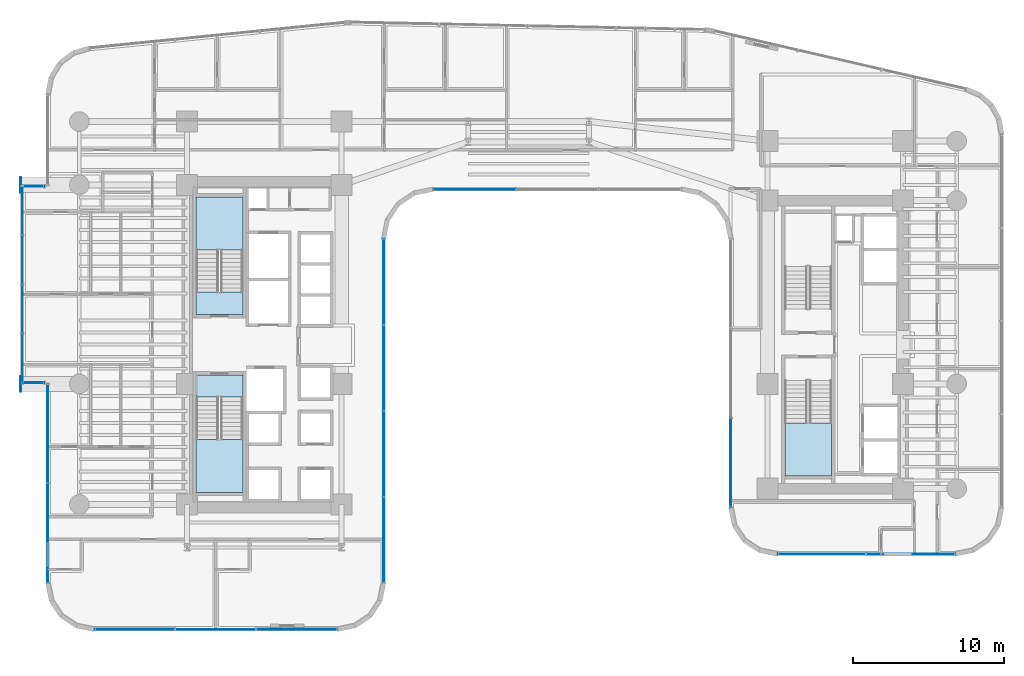
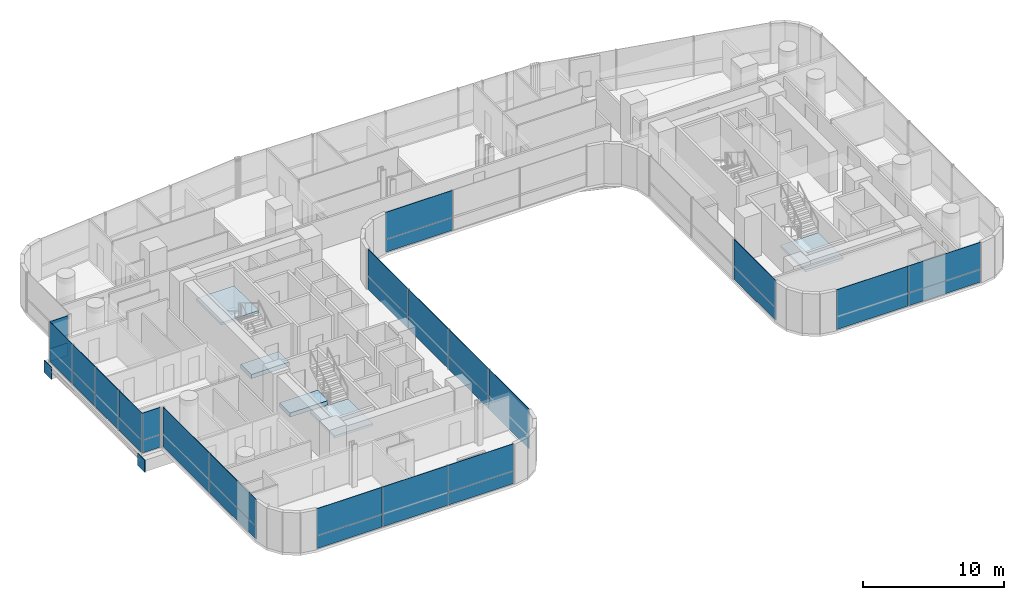
# One storey, part 27 of 40: 33 plates, 5 slabs, 12 elements without a shape of their own.
"""IFC4 building model written with IfcOpenShell, lengths in metres."""

from ifc_helpers import new_model, si_unit, direction, frame, origin, origin_2d, place, context, subcontext, project, spatial, polyline, rectangle, outline, extrude, source, transform, mapped, material, layer, layer_set, type_object, element, aggregate, save


model = new_model("IFC4")

# Units and contexts
model_context = context("Model", 3, precision=1e-05, world=origin(), true_north=direction((0.0, 1.0)))
body_context = subcontext(model_context, "Body", "Model", "MODEL_VIEW")
ifc_project = project(units=[si_unit("LENGTHUNIT", "METRE"), si_unit("AREAUNIT", "SQUARE_METRE"), si_unit("VOLUMEUNIT", "CUBIC_METRE"), si_unit("PLANEANGLEUNIT", "RADIAN"), si_unit("MASSUNIT", "GRAM", prefix="KILO")], contexts=[model_context])

# Site, building, storey
site_placement = place(None, origin())
site = spatial("IfcSite", under=ifc_project, at=site_placement, CompositionType="ELEMENT")
building_placement = place(site_placement, origin())
building = spatial("IfcBuilding", under=site, at=building_placement, Name="Valdorenza Pilgrim Sanctuary Tower", CompositionType="ELEMENT")
storey_placement = place(building_placement, frame((0.0, 0.0, 44.5)))
storey = spatial("IfcBuildingStorey", under=building, at=storey_placement, Name="L10", CompositionType="ELEMENT", Elevation=44.5)

# Stair, slab
ifc_material_1 = material(Name="Concrete C40/50", Category="concrete")
stair_type = type_object("IfcStairType", Name="STR-DOG-CORE", PredefinedType="HALF_TURN_STAIR", material=ifc_material_1)
stair_1_placement = place(storey_placement, origin())
stair_1 = element("IfcStair", 1, at=stair_1_placement, inside=storey, type_object=stair_type, Name="L10 ST-A1", PredefinedType="HALF_TURN_STAIR")
ifc_layer_1 = layer(ifc_material_1, 0.199951171875, Name="Concrete C40/50")
ifc_layer_set_1 = layer_set([ifc_layer_1], Name="Concrete C40/50")
slab_type_1 = type_object("IfcSlabType", Name="SLAB-STL-200", PredefinedType="LANDING", material=ifc_layer_set_1)
slab_1_placement = place(storey_placement, frame((0.0, 0.0, 1.64990234375)))
slab_1 = element("IfcSlab", 2, at=slab_1_placement, type_object=slab_type_1, Name="ST-A1 landing 1", PredefinedType="LANDING", context=body_context, shape_type="SweptSolid", body=[
    extrude(outline(polyline([(-18.93994140625, 6.280029296875), (-18.93994140625, 9.800048828125), (-22.050048828125, 9.800048828125), (-22.050048828125, 6.280029296875), (-18.93994140625, 6.280029296875)])), origin(), (0.0, 0.0, 1.0), 0.2001953125),
])
aggregate(stair_1, [slab_1])

stair_2_placement = place(storey_placement, origin())
stair_2 = element("IfcStair", 3, at=stair_2_placement, inside=storey, type_object=stair_type, Name="L10 ST-A2", PredefinedType="HALF_TURN_STAIR")
slab_2_placement = place(storey_placement, frame((0.0, 0.0, 1.64990234375)))
slab_2 = element("IfcSlab", 4, at=slab_2_placement, type_object=slab_type_1, Name="ST-A2 landing 1", PredefinedType="LANDING", context=body_context, shape_type="SweptSolid", body=[
    extrude(outline(polyline([(-22.050048828125, -6.280029296875), (-22.050048828125, -9.800048828125), (-18.93994140625, -9.800048828125), (-18.93994140625, -6.280029296875), (-22.050048828125, -6.280029296875)])), origin(), (0.0, 0.0, 1.0), 0.2001953125),
])
aggregate(stair_2, [slab_2])

stair_3_placement = place(storey_placement, origin())
stair_3 = element("IfcStair", 5, at=stair_3_placement, inside=storey, type_object=stair_type, Name="L10 ST-B2", PredefinedType="HALF_TURN_STAIR")
slab_3_placement = place(storey_placement, frame((0.0, 0.0, 1.64990234375)))
slab_3 = element("IfcSlab", 6, at=slab_3_placement, type_object=slab_type_1, Name="ST-B2 landing 1", PredefinedType="LANDING", context=body_context, shape_type="SweptSolid", body=[
    extrude(outline(polyline([(17.0, -5.179931640625), (17.0, -8.699951171875), (20.110107421875, -8.699951171875), (20.110107421875, -5.179931640625), (17.0, -5.179931640625)])), origin(), (0.0, 0.0, 1.0), 0.2001953125),
])
aggregate(stair_3, [slab_3])

# Slabs
ifc_material_2 = material(Name="Concrete C50/60", Category="concrete")
ifc_layer_2 = layer(ifc_material_2, 0.39990234375, Name="Concrete C50/60")
ifc_layer_set_2 = layer_set([ifc_layer_2], Name="Concrete C50/60")
slab_type_2 = type_object("IfcSlabType", Name="SLAB-TRF-400", PredefinedType="FLOOR", material=ifc_layer_set_2)
slab_4_placement = place(storey_placement, frame((0.0, 0.0, -0.360107421875)))
element("IfcSlab", 7, at=slab_4_placement, inside=storey, type_object=slab_type_2, Name="L10 ST-A1 Structural Stair Landing Bearing Slab", PredefinedType="FLOOR", context=body_context, shape_type="SweptSolid", body=[
    extrude(outline(polyline([(-22.050048828125, 2.0), (-18.93994140625, 2.0), (-18.93994140625, 3.485107421875), (-22.050048828125, 3.485107421875), (-22.050048828125, 2.0)])), origin(), (0.0, 0.0, 1.0), 0.360107421875),
])
slab_5_placement = place(storey_placement, frame((0.0, 0.0, -0.360107421875)))
element("IfcSlab", 8, at=slab_5_placement, inside=storey, type_object=slab_type_2, Name="L10 ST-A2 Structural Stair Landing Bearing Slab", PredefinedType="FLOOR", context=body_context, shape_type="SweptSolid", body=[
    extrude(outline(polyline([(-22.050048828125, -3.485107421875), (-18.93994140625, -3.485107421875), (-18.93994140625, -2.0), (-22.050048828125, -2.0), (-22.050048828125, -3.485107421875)])), origin(), (0.0, 0.0, 1.0), 0.360107421875),
])

# Plates
ifc_material_3 = material(Name="Steel ASTM A572 Grade 42", Category="steel")
ifc_layer_3 = layer(ifc_material_3, 0.06005859375, Name="Steel ASTM A572 Grade 42")
ifc_layer_set_3 = layer_set([ifc_layer_3], Name="Steel ASTM A572 Grade 42")
plate_type_1 = type_object("IfcPlateType", Name="PLT-CAP-60", PredefinedType="SHEET", material=ifc_layer_set_3)
shared_shape_1 = source(origin(), body_context, "Body", "SweptSolid", [
    extrude(rectangle(XDim=0.06005859375, YDim=1.0400390625, at=origin_2d()), origin(), (0.0, 0.0, 1.0), 1.0400390625),
])
for number, where, z_axis, x_axis, name in (
    (9, (-33.679931640625, 10.60009765625, -1.260009765625), (0.0, 0.0, 1.0), (1.0, 0.0, 0.0), "L10 BOX-WA-L10 Cantilever Tip End Cap N"),
    (10, (-33.679931640625, -2.60009765625, -1.260009765625), (0.0, 0.0, 1.0), (1.0, 0.0, 0.0), "L10 BOX-WA-L10 Cantilever Tip End Cap S"),
):
    element("IfcPlate", number, at=place(storey_placement, frame(where, z_axis=z_axis, x_axis=x_axis)), inside=storey, type_object=plate_type_1, Name=name, PredefinedType="SHEET", context=body_context, shape_type="MappedRepresentation", body=[
        mapped(shared_shape_1, transform((0.0, 0.0, 0.0), x_axis=(1.0, 0.0, 0.0), y_axis=(0.0, 1.0, 0.0), z_axis=(0.0, 0.0, 1.0), scale=1.0)),
    ])

# Curtain wall, plates
ifc_material_4 = material(Name="Curtain-wall IGU glazing", Category="glass")
curtain_wall_type_1 = type_object("IfcCurtainWallType", Name="CW-SYS-03", PredefinedType="NOTDEFINED", material=ifc_material_4)
curtain_wall_1_placement = place(storey_placement, origin())
curtain_wall_1 = element("IfcCurtainWall", 11, at=curtain_wall_1_placement, inside=storey, type_object=curtain_wall_type_1, Name="L10 Curtain Wall CW-L10-1-26", PredefinedType="NOTDEFINED")
ifc_material_5 = material(Name="Honed travertine limestone", Category="masonry")
ifc_layer_4 = layer(ifc_material_5, 0.050048828125, Name="Honed travertine limestone")
ifc_layer_set_4 = layer_set([ifc_layer_4], Name="Honed travertine limestone")
plate_type_2 = type_object("IfcPlateType", Name="CW-SPN-TRV", PredefinedType="USERDEFINED", material=ifc_layer_set_4)
shared_shape_2 = source(origin(), body_context, "Body", "SweptSolid", [
    extrude(rectangle(XDim=5.869140625, YDim=0.06005859375, at=origin_2d()), origin(), (0.0, 0.0, 1.0), 1.10009765625),
])
plate_1_placement = place(storey_placement, frame((25.344482421875, -13.889892578125, 0.010009765625), z_axis=(0.0, 0.0, 1.0), x_axis=(-1.0, 0.0, 0.0)))
plate_1 = element("IfcPlate", 12, at=plate_1_placement, type_object=plate_type_2, Name="CW-L10-1-26 Travertine Spandrel 1", ObjectType="SPANDREL", PredefinedType="USERDEFINED", context=body_context, shape_type="MappedRepresentation", body=[
    mapped(shared_shape_2, transform((0.0, 0.0, 0.0), x_axis=(1.0, 0.0, 0.0), y_axis=(0.0, 1.0, 0.0), z_axis=(0.0, 0.0, 1.0), scale=1.0)),
])
ifc_material_6 = material(Name="Ceramic-fritted low-E IGU glazing", Category="glass")
ifc_layer_5 = layer(ifc_material_6, 0.035888671875, Name="Ceramic-fritted low-E IGU glazing")
ifc_layer_set_5 = layer_set([ifc_layer_5], Name="Ceramic-fritted low-E IGU glazing")
plate_type_3 = type_object("IfcPlateType", Name="CW-GLZ-IGU", PredefinedType="USERDEFINED", material=ifc_layer_set_5)
shared_shape_3 = source(origin(), body_context, "Body", "SweptSolid", [
    extrude(rectangle(XDim=5.869140625, YDim=0.050048828125, at=origin_2d()), origin(), (0.0, 0.0, 1.0), 2.320068359375),
])
plate_2_placement = place(storey_placement, frame((25.344482421875, -13.889892578125, 1.1298828125), z_axis=(0.0, 0.0, 1.0), x_axis=(-1.0, 0.0, 0.0)))
plate_2 = element("IfcPlate", 13, at=plate_2_placement, type_object=plate_type_3, Name="CW-L10-1-26 Facade Panel 1", ObjectType="GLAZING", PredefinedType="USERDEFINED", context=body_context, shape_type="MappedRepresentation", body=[
    mapped(shared_shape_3, transform((0.0, 0.0, 0.0), x_axis=(1.0, 0.0, 0.0), y_axis=(0.0, 1.0, 0.0), z_axis=(0.0, 0.0, 1.0), scale=1.0)),
])
shared_shape_4 = source(origin(), body_context, "Body", "SweptSolid", [
    extrude(rectangle(XDim=5.869140625, YDim=0.050048828125, at=origin_2d()), origin(), (0.0, 0.0, 1.0), 3.43994140625),
])
plate_3_placement = place(storey_placement, frame((19.455322265625, -13.889892578125, 0.010009765625), z_axis=(0.0, 0.0, 1.0), x_axis=(-1.0, 0.0, 0.0)))
plate_3 = element("IfcPlate", 14, at=plate_3_placement, type_object=plate_type_3, Name="CW-L10-1-26 Full-Height Facade Panel 2", ObjectType="GLAZING", PredefinedType="USERDEFINED", context=body_context, shape_type="MappedRepresentation", body=[
    mapped(shared_shape_4, transform((0.0, 0.0, 0.0), x_axis=(1.0, 0.0, 0.0), y_axis=(0.0, 1.0, 0.0), z_axis=(0.0, 0.0, 1.0), scale=1.0)),
])
aggregate(curtain_wall_1, [plate_1, plate_2, plate_3])

curtain_wall_2_placement = place(storey_placement, origin())
curtain_wall_2 = element("IfcCurtainWall", 15, at=curtain_wall_2_placement, inside=storey, type_object=curtain_wall_type_1, Name="L10 Curtain Wall CW-L10-1-31", PredefinedType="NOTDEFINED")
shared_shape_5 = source(origin(), body_context, "Body", "SweptSolid", [
    extrude(rectangle(XDim=5.913330078125, YDim=0.06005859375, at=origin_2d()), origin(), (0.0, 0.0, 1.0), 1.10009765625),
])
plate_4_placement = place(storey_placement, frame((13.409912109375, -7.822509765625, 0.010009765625), z_axis=(0.0, 0.0, 1.0), x_axis=(0.0, 1.0, 0.0)))
plate_4 = element("IfcPlate", 16, at=plate_4_placement, type_object=plate_type_2, Name="CW-L10-1-31 Travertine Spandrel 1", ObjectType="SPANDREL", PredefinedType="USERDEFINED", context=body_context, shape_type="MappedRepresentation", body=[
    mapped(shared_shape_5, transform((0.0, 0.0, 0.0), x_axis=(1.0, 0.0, 0.0), y_axis=(0.0, 1.0, 0.0), z_axis=(0.0, 0.0, 1.0), scale=1.0)),
])
shared_shape_6 = source(origin(), body_context, "Body", "SweptSolid", [
    extrude(rectangle(XDim=5.913330078125, YDim=0.050048828125, at=origin_2d()), origin(), (0.0, 0.0, 1.0), 2.320068359375),
])
plate_5_placement = place(storey_placement, frame((13.409912109375, -7.822509765625, 1.1298828125), z_axis=(0.0, 0.0, 1.0), x_axis=(0.0, 1.0, 0.0)))
plate_5 = element("IfcPlate", 17, at=plate_5_placement, type_object=plate_type_3, Name="CW-L10-1-31 Facade Panel 1", ObjectType="GLAZING", PredefinedType="USERDEFINED", context=body_context, shape_type="MappedRepresentation", body=[
    mapped(shared_shape_6, transform((0.0, 0.0, 0.0), x_axis=(1.0, 0.0, 0.0), y_axis=(0.0, 1.0, 0.0), z_axis=(0.0, 0.0, 1.0), scale=1.0)),
])
aggregate(curtain_wall_2, [plate_4, plate_5])

curtain_wall_type_2 = type_object("IfcCurtainWallType", Name="CW-SYS-02", PredefinedType="NOTDEFINED", material=ifc_material_4)
curtain_wall_3_placement = place(storey_placement, origin())
curtain_wall_3 = element("IfcCurtainWall", 18, at=curtain_wall_3_placement, inside=storey, type_object=curtain_wall_type_2, Name="L10 Curtain Wall CW-L10-1-36", PredefinedType="NOTDEFINED")
shared_shape_7 = source(origin(), body_context, "Body", "SweptSolid", [
    extrude(rectangle(XDim=5.453857421875, YDim=0.06005859375, at=origin_2d()), origin(), (0.0, 0.0, 1.0), 1.10009765625),
])
plate_6_placement = place(storey_placement, frame((-3.573974609375, 10.31005859375, 0.010009765625), z_axis=(0.0, 0.0, 1.0), x_axis=(-1.0, 0.0, 0.0)))
plate_6 = element("IfcPlate", 19, at=plate_6_placement, type_object=plate_type_2, Name="CW-L10-1-36 Travertine Spandrel 3", ObjectType="SPANDREL", PredefinedType="USERDEFINED", context=body_context, shape_type="MappedRepresentation", body=[
    mapped(shared_shape_7, transform((0.0, 0.0, 0.0), x_axis=(1.0, 0.0, 0.0), y_axis=(0.0, 1.0, 0.0), z_axis=(0.0, 0.0, 1.0), scale=1.0)),
])
shared_shape_8 = source(origin(), body_context, "Body", "SweptSolid", [
    extrude(rectangle(XDim=5.453857421875, YDim=0.050048828125, at=origin_2d()), origin(), (0.0, 0.0, 1.0), 2.320068359375),
])
plate_7_placement = place(storey_placement, frame((-3.573974609375, 10.31005859375, 1.1298828125), z_axis=(0.0, 0.0, 1.0), x_axis=(-1.0, 0.0, 0.0)))
plate_7 = element("IfcPlate", 20, at=plate_7_placement, type_object=plate_type_3, Name="CW-L10-1-36 Facade Panel 3", ObjectType="GLAZING", PredefinedType="USERDEFINED", context=body_context, shape_type="MappedRepresentation", body=[
    mapped(shared_shape_8, transform((0.0, 0.0, 0.0), x_axis=(1.0, 0.0, 0.0), y_axis=(0.0, 1.0, 0.0), z_axis=(0.0, 0.0, 1.0), scale=1.0)),
])
aggregate(curtain_wall_3, [plate_6, plate_7])

curtain_wall_4_placement = place(storey_placement, origin())
curtain_wall_4 = element("IfcCurtainWall", 21, at=curtain_wall_4_placement, inside=storey, type_object=curtain_wall_type_2, Name="L10 Curtain Wall CW-L10-1-41", PredefinedType="NOTDEFINED")
shared_shape_9 = source(origin(), body_context, "Body", "SweptSolid", [
    extrude(rectangle(XDim=5.679931640625, YDim=0.06005859375, at=origin_2d()), origin(), (0.0, 0.0, 1.0), 1.10009765625),
])
plate_8_placement = place(storey_placement, frame((-9.610107421875, 4.160888671875, 0.010009765625), z_axis=(0.0, 0.0, 1.0), x_axis=(0.0, -1.0, 0.0)))
plate_8 = element("IfcPlate", 22, at=plate_8_placement, type_object=plate_type_2, Name="CW-L10-1-41 Travertine Spandrel 1", ObjectType="SPANDREL", PredefinedType="USERDEFINED", context=body_context, shape_type="MappedRepresentation", body=[
    mapped(shared_shape_9, transform((0.0, 0.0, 0.0), x_axis=(1.0, 0.0, 0.0), y_axis=(0.0, 1.0, 0.0), z_axis=(0.0, 0.0, 1.0), scale=1.0)),
])
plate_9_placement = place(storey_placement, frame((-9.610107421875, -7.2392578125, 0.010009765625), z_axis=(0.0, 0.0, 1.0), x_axis=(0.0, -1.0, 0.0)))
plate_9 = element("IfcPlate", 23, at=plate_9_placement, type_object=plate_type_2, Name="CW-L10-1-41 Travertine Spandrel 3", ObjectType="SPANDREL", PredefinedType="USERDEFINED", context=body_context, shape_type="MappedRepresentation", body=[
    mapped(shared_shape_9, transform((0.0, 0.0, 0.0), x_axis=(1.0, 0.0, 0.0), y_axis=(0.0, 1.0, 0.0), z_axis=(0.0, 0.0, 1.0), scale=1.0)),
])
shared_shape_10 = source(origin(), body_context, "Body", "SweptSolid", [
    extrude(rectangle(XDim=5.679931640625, YDim=0.050048828125, at=origin_2d()), origin(), (0.0, 0.0, 1.0), 2.320068359375),
])
plate_10_placement = place(storey_placement, frame((-9.610107421875, 4.160888671875, 1.1298828125), z_axis=(0.0, 0.0, 1.0), x_axis=(0.0, -1.0, 0.0)))
plate_10 = element("IfcPlate", 24, at=plate_10_placement, type_object=plate_type_3, Name="CW-L10-1-41 Facade Panel 1", ObjectType="GLAZING", PredefinedType="USERDEFINED", context=body_context, shape_type="MappedRepresentation", body=[
    mapped(shared_shape_10, transform((0.0, 0.0, 0.0), x_axis=(1.0, 0.0, 0.0), y_axis=(0.0, 1.0, 0.0), z_axis=(0.0, 0.0, 1.0), scale=1.0)),
])
plate_11_placement = place(storey_placement, frame((-9.610107421875, -7.2392578125, 1.1298828125), z_axis=(0.0, 0.0, 1.0), x_axis=(0.0, -1.0, 0.0)))
plate_11 = element("IfcPlate", 25, at=plate_11_placement, type_object=plate_type_3, Name="CW-L10-1-41 Facade Panel 3", ObjectType="GLAZING", PredefinedType="USERDEFINED", context=body_context, shape_type="MappedRepresentation", body=[
    mapped(shared_shape_10, transform((0.0, 0.0, 0.0), x_axis=(1.0, 0.0, 0.0), y_axis=(0.0, 1.0, 0.0), z_axis=(0.0, 0.0, 1.0), scale=1.0)),
])
shared_shape_11 = source(origin(), body_context, "Body", "SweptSolid", [
    extrude(rectangle(XDim=5.679931640625, YDim=0.050048828125, at=origin_2d()), origin(), (0.0, 0.0, 1.0), 3.43994140625),
])
plate_12_placement = place(storey_placement, frame((-9.610107421875, -1.539306640625, 0.010009765625), z_axis=(0.0, 0.0, 1.0), x_axis=(0.0, -1.0, 0.0)))
plate_12 = element("IfcPlate", 26, at=plate_12_placement, type_object=plate_type_3, Name="CW-L10-1-41 Full-Height Facade Panel 2", ObjectType="GLAZING", PredefinedType="USERDEFINED", context=body_context, shape_type="MappedRepresentation", body=[
    mapped(shared_shape_11, transform((0.0, 0.0, 0.0), x_axis=(1.0, 0.0, 0.0), y_axis=(0.0, 1.0, 0.0), z_axis=(0.0, 0.0, 1.0), scale=1.0)),
])
plate_13_placement = place(storey_placement, frame((-9.610107421875, -12.939208984375, 0.010009765625), z_axis=(0.0, 0.0, 1.0), x_axis=(0.0, -1.0, 0.0)))
plate_13 = element("IfcPlate", 27, at=plate_13_placement, type_object=plate_type_3, Name="CW-L10-1-41 Full-Height Facade Panel 4", ObjectType="GLAZING", PredefinedType="USERDEFINED", context=body_context, shape_type="MappedRepresentation", body=[
    mapped(shared_shape_11, transform((0.0, 0.0, 0.0), x_axis=(1.0, 0.0, 0.0), y_axis=(0.0, 1.0, 0.0), z_axis=(0.0, 0.0, 1.0), scale=1.0)),
])
aggregate(curtain_wall_4, [plate_8, plate_10, plate_12, plate_9, plate_11, plate_13])

curtain_wall_5_placement = place(storey_placement, origin())
curtain_wall_5 = element("IfcCurtainWall", 28, at=curtain_wall_5_placement, inside=storey, type_object=curtain_wall_type_2, Name="L10 Curtain Wall CW-L10-1-46", PredefinedType="NOTDEFINED")
shared_shape_12 = source(origin(), body_context, "Body", "SweptSolid", [
    extrude(rectangle(XDim=5.339599609375, YDim=0.06005859375, at=origin_2d()), origin(), (0.0, 0.0, 1.0), 1.10009765625),
])
plate_14_placement = place(storey_placement, frame((-15.390380859375, -18.889892578125, 0.010009765625), z_axis=(0.0, 0.0, 1.0), x_axis=(-1.0, 0.0, 0.0)))
plate_14 = element("IfcPlate", 29, at=plate_14_placement, type_object=plate_type_2, Name="CW-L10-1-46 Travertine Spandrel 1", ObjectType="SPANDREL", PredefinedType="USERDEFINED", context=body_context, shape_type="MappedRepresentation", body=[
    mapped(shared_shape_12, transform((0.0, 0.0, 0.0), x_axis=(1.0, 0.0, 0.0), y_axis=(0.0, 1.0, 0.0), z_axis=(0.0, 0.0, 1.0), scale=1.0)),
])
plate_15_placement = place(storey_placement, frame((-26.109619140625, -18.889892578125, 0.010009765625), z_axis=(0.0, 0.0, 1.0), x_axis=(-1.0, 0.0, 0.0)))
plate_15 = element("IfcPlate", 30, at=plate_15_placement, type_object=plate_type_2, Name="CW-L10-1-46 Travertine Spandrel 3", ObjectType="SPANDREL", PredefinedType="USERDEFINED", context=body_context, shape_type="MappedRepresentation", body=[
    mapped(shared_shape_12, transform((0.0, 0.0, 0.0), x_axis=(1.0, 0.0, 0.0), y_axis=(0.0, 1.0, 0.0), z_axis=(0.0, 0.0, 1.0), scale=1.0)),
])
shared_shape_13 = source(origin(), body_context, "Body", "SweptSolid", [
    extrude(rectangle(XDim=5.339599609375, YDim=0.050048828125, at=origin_2d()), origin(), (0.0, 0.0, 1.0), 2.320068359375),
])
plate_16_placement = place(storey_placement, frame((-15.390380859375, -18.889892578125, 1.1298828125), z_axis=(0.0, 0.0, 1.0), x_axis=(-1.0, 0.0, 0.0)))
plate_16 = element("IfcPlate", 31, at=plate_16_placement, type_object=plate_type_3, Name="CW-L10-1-46 Facade Panel 1", ObjectType="GLAZING", PredefinedType="USERDEFINED", context=body_context, shape_type="MappedRepresentation", body=[
    mapped(shared_shape_13, transform((0.0, 0.0, 0.0), x_axis=(1.0, 0.0, 0.0), y_axis=(0.0, 1.0, 0.0), z_axis=(0.0, 0.0, 1.0), scale=1.0)),
])
plate_17_placement = place(storey_placement, frame((-26.109619140625, -18.889892578125, 1.1298828125), z_axis=(0.0, 0.0, 1.0), x_axis=(-1.0, 0.0, 0.0)))
plate_17 = element("IfcPlate", 32, at=plate_17_placement, type_object=plate_type_3, Name="CW-L10-1-46 Facade Panel 3", ObjectType="GLAZING", PredefinedType="USERDEFINED", context=body_context, shape_type="MappedRepresentation", body=[
    mapped(shared_shape_13, transform((0.0, 0.0, 0.0), x_axis=(1.0, 0.0, 0.0), y_axis=(0.0, 1.0, 0.0), z_axis=(0.0, 0.0, 1.0), scale=1.0)),
])
shared_shape_14 = source(origin(), body_context, "Body", "SweptSolid", [
    extrude(rectangle(XDim=5.339599609375, YDim=0.050048828125, at=origin_2d()), origin(), (0.0, 0.0, 1.0), 3.43994140625),
])
plate_18_placement = place(storey_placement, frame((-20.75, -18.889892578125, 0.010009765625), z_axis=(0.0, 0.0, 1.0), x_axis=(-1.0, 0.0, 0.0)))
plate_18 = element("IfcPlate", 33, at=plate_18_placement, type_object=plate_type_3, Name="CW-L10-1-46 Full-Height Facade Panel 2", ObjectType="GLAZING", PredefinedType="USERDEFINED", context=body_context, shape_type="MappedRepresentation", body=[
    mapped(shared_shape_14, transform((0.0, 0.0, 0.0), x_axis=(1.0, 0.0, 0.0), y_axis=(0.0, 1.0, 0.0), z_axis=(0.0, 0.0, 1.0), scale=1.0)),
])
aggregate(curtain_wall_5, [plate_14, plate_16, plate_18, plate_15, plate_17])

# Curtain wall, plate
curtain_wall_6_placement = place(storey_placement, origin())
curtain_wall_6 = element("IfcCurtainWall", 34, at=curtain_wall_6_placement, inside=storey, type_object=curtain_wall_type_2, Name="L10 Curtain Wall CW-L10-BOX-WA-L10-S", PredefinedType="NOTDEFINED")
shared_shape_15 = source(origin(), body_context, "Body", "SweptSolid", [
    extrude(rectangle(XDim=1.43994140625, YDim=0.06005859375, at=origin_2d()), origin(), (0.0, 0.0, 1.0), 1.10009765625),
])
plate_19_placement = place(storey_placement, frame((-32.840087890625, -2.52001953125, 0.010009765625), z_axis=(0.0, 0.0, 1.0), x_axis=(-1.0, 0.0, 0.0)))
plate_19 = element("IfcPlate", 35, at=plate_19_placement, type_object=plate_type_2, Name="CW-L10-BOX-WA-L10-S Travertine Spandrel 1", ObjectType="SPANDREL", PredefinedType="USERDEFINED", context=body_context, shape_type="MappedRepresentation", body=[
    mapped(shared_shape_15, transform((0.0, 0.0, 0.0), x_axis=(1.0, 0.0, 0.0), y_axis=(0.0, 1.0, 0.0), z_axis=(0.0, 0.0, 1.0), scale=1.0)),
])

curtain_wall_7_placement = place(storey_placement, origin())
curtain_wall_7 = element("IfcCurtainWall", 36, at=curtain_wall_7_placement, inside=storey, type_object=curtain_wall_type_2, Name="L10 Curtain Wall CW-L10-BOX-WA-L10-N", PredefinedType="NOTDEFINED")
plate_20_placement = place(storey_placement, frame((-32.840087890625, 10.52001953125, 0.010009765625), z_axis=(0.0, 0.0, 1.0), x_axis=(1.0, 0.0, 0.0)))
plate_20 = element("IfcPlate", 37, at=plate_20_placement, type_object=plate_type_2, Name="CW-L10-BOX-WA-L10-N Travertine Spandrel 1", ObjectType="SPANDREL", PredefinedType="USERDEFINED", context=body_context, shape_type="MappedRepresentation", body=[
    mapped(shared_shape_15, transform((0.0, 0.0, 0.0), x_axis=(1.0, 0.0, 0.0), y_axis=(0.0, 1.0, 0.0), z_axis=(0.0, 0.0, 1.0), scale=1.0)),
])

# Plate
shared_shape_16 = source(origin(), body_context, "Body", "SweptSolid", [
    extrude(rectangle(XDim=1.43994140625, YDim=0.050048828125, at=origin_2d()), origin(), (0.0, 0.0, 1.0), 2.320068359375),
])
plate_21_placement = place(storey_placement, frame((-32.840087890625, -2.52001953125, 1.1298828125), z_axis=(0.0, 0.0, 1.0), x_axis=(-1.0, 0.0, 0.0)))
plate_21 = element("IfcPlate", 38, at=plate_21_placement, type_object=plate_type_3, Name="CW-L10-BOX-WA-L10-S Facade Panel 1", ObjectType="GLAZING", PredefinedType="USERDEFINED", context=body_context, shape_type="MappedRepresentation", body=[
    mapped(shared_shape_16, transform((0.0, 0.0, 0.0), x_axis=(1.0, 0.0, 0.0), y_axis=(0.0, 1.0, 0.0), z_axis=(0.0, 0.0, 1.0), scale=1.0)),
])

aggregate(curtain_wall_6, [plate_19, plate_21])

plate_22_placement = place(storey_placement, frame((-32.840087890625, 10.52001953125, 1.1298828125), z_axis=(0.0, 0.0, 1.0), x_axis=(1.0, 0.0, 0.0)))
plate_22 = element("IfcPlate", 39, at=plate_22_placement, type_object=plate_type_3, Name="CW-L10-BOX-WA-L10-N Facade Panel 1", ObjectType="GLAZING", PredefinedType="USERDEFINED", context=body_context, shape_type="MappedRepresentation", body=[
    mapped(shared_shape_16, transform((0.0, 0.0, 0.0), x_axis=(1.0, 0.0, 0.0), y_axis=(0.0, 1.0, 0.0), z_axis=(0.0, 0.0, 1.0), scale=1.0)),
])

aggregate(curtain_wall_7, [plate_20, plate_22])

# Curtain wall, plates
curtain_wall_8_placement = place(storey_placement, origin())
curtain_wall_8 = element("IfcCurtainWall", 40, at=curtain_wall_8_placement, inside=storey, type_object=curtain_wall_type_2, Name="L10 Curtain Wall CW-L10-1-1S1", PredefinedType="NOTDEFINED")
shared_shape_17 = source(origin(), body_context, "Body", "SweptSolid", [
    extrude(rectangle(XDim=6.57470703125, YDim=0.06005859375, at=origin_2d()), origin(), (0.0, 0.0, 1.0), 1.10009765625),
])
plate_23_placement = place(storey_placement, frame((-31.889892578125, -12.491943359375, 0.010009765625), z_axis=(0.0, 0.0, 1.0), x_axis=(0.0, 1.0, 0.0)))
plate_23 = element("IfcPlate", 41, at=plate_23_placement, type_object=plate_type_2, Name="CW-L10-1-1S1 Travertine Spandrel 1", ObjectType="SPANDREL", PredefinedType="USERDEFINED", context=body_context, shape_type="MappedRepresentation", body=[
    mapped(shared_shape_17, transform((0.0, 0.0, 0.0), x_axis=(1.0, 0.0, 0.0), y_axis=(0.0, 1.0, 0.0), z_axis=(0.0, 0.0, 1.0), scale=1.0)),
])
shared_shape_18 = source(origin(), body_context, "Body", "SweptSolid", [
    extrude(rectangle(XDim=6.57470703125, YDim=0.050048828125, at=origin_2d()), origin(), (0.0, 0.0, 1.0), 2.320068359375),
])
plate_24_placement = place(storey_placement, frame((-31.889892578125, -12.491943359375, 1.1298828125), z_axis=(0.0, 0.0, 1.0), x_axis=(0.0, 1.0, 0.0)))
plate_24 = element("IfcPlate", 42, at=plate_24_placement, type_object=plate_type_3, Name="CW-L10-1-1S1 Facade Panel 1", ObjectType="GLAZING", PredefinedType="USERDEFINED", context=body_context, shape_type="MappedRepresentation", body=[
    mapped(shared_shape_18, transform((0.0, 0.0, 0.0), x_axis=(1.0, 0.0, 0.0), y_axis=(0.0, 1.0, 0.0), z_axis=(0.0, 0.0, 1.0), scale=1.0)),
])
shared_shape_19 = source(origin(), body_context, "Body", "SweptSolid", [
    extrude(rectangle(XDim=6.57470703125, YDim=0.050048828125, at=origin_2d()), origin(), (0.0, 0.0, 1.0), 3.43994140625),
])
plate_25_placement = place(storey_placement, frame((-31.889892578125, -5.897216796875, 0.010009765625), z_axis=(0.0, 0.0, 1.0), x_axis=(0.0, 1.0, 0.0)))
plate_25 = element("IfcPlate", 43, at=plate_25_placement, type_object=plate_type_3, Name="CW-L10-1-1S1 Full-Height Facade Panel 2", ObjectType="GLAZING", PredefinedType="USERDEFINED", context=body_context, shape_type="MappedRepresentation", body=[
    mapped(shared_shape_19, transform((0.0, 0.0, 0.0), x_axis=(1.0, 0.0, 0.0), y_axis=(0.0, 1.0, 0.0), z_axis=(0.0, 0.0, 1.0), scale=1.0)),
])
aggregate(curtain_wall_8, [plate_23, plate_24, plate_25])

curtain_wall_9_placement = place(storey_placement, origin())
curtain_wall_9 = element("IfcCurtainWall", 44, at=curtain_wall_9_placement, inside=storey, type_object=curtain_wall_type_2, Name="L10 Curtain Wall CW-L10-BOX-WA-L10-F", PredefinedType="NOTDEFINED")
shared_shape_20 = source(origin(), body_context, "Body", "SweptSolid", [
    extrude(rectangle(XDim=3.239990234375, YDim=0.06005859375, at=origin_2d()), origin(), (0.0, 0.0, 1.0), 1.10009765625),
])
plate_26_placement = place(storey_placement, frame((-33.570068359375, -0.889892578125, 0.010009765625), z_axis=(0.0, 0.0, 1.0), x_axis=(0.0, 1.0, 0.0)))
plate_26 = element("IfcPlate", 45, at=plate_26_placement, type_object=plate_type_2, Name="CW-L10-BOX-WA-L10-F Travertine Spandrel 1", ObjectType="SPANDREL", PredefinedType="USERDEFINED", context=body_context, shape_type="MappedRepresentation", body=[
    mapped(shared_shape_20, transform((0.0, 0.0, 0.0), x_axis=(1.0, 0.0, 0.0), y_axis=(0.0, 1.0, 0.0), z_axis=(0.0, 0.0, 1.0), scale=1.0)),
])
plate_27_placement = place(storey_placement, frame((-33.570068359375, 5.6298828125, 0.010009765625), z_axis=(0.0, 0.0, 1.0), x_axis=(0.0, 1.0, 0.0)))
plate_27 = element("IfcPlate", 46, at=plate_27_placement, type_object=plate_type_2, Name="CW-L10-BOX-WA-L10-F Travertine Spandrel 3", ObjectType="SPANDREL", PredefinedType="USERDEFINED", context=body_context, shape_type="MappedRepresentation", body=[
    mapped(shared_shape_20, transform((0.0, 0.0, 0.0), x_axis=(1.0, 0.0, 0.0), y_axis=(0.0, 1.0, 0.0), z_axis=(0.0, 0.0, 1.0), scale=1.0)),
])
shared_shape_21 = source(origin(), body_context, "Body", "SweptSolid", [
    extrude(rectangle(XDim=3.239990234375, YDim=0.050048828125, at=origin_2d()), origin(), (0.0, 0.0, 1.0), 2.320068359375),
])
plate_28_placement = place(storey_placement, frame((-33.570068359375, -0.889892578125, 1.1298828125), z_axis=(0.0, 0.0, 1.0), x_axis=(0.0, 1.0, 0.0)))
plate_28 = element("IfcPlate", 47, at=plate_28_placement, type_object=plate_type_3, Name="CW-L10-BOX-WA-L10-F Facade Panel 1", ObjectType="GLAZING", PredefinedType="USERDEFINED", context=body_context, shape_type="MappedRepresentation", body=[
    mapped(shared_shape_21, transform((0.0, 0.0, 0.0), x_axis=(1.0, 0.0, 0.0), y_axis=(0.0, 1.0, 0.0), z_axis=(0.0, 0.0, 1.0), scale=1.0)),
])
plate_29_placement = place(storey_placement, frame((-33.570068359375, 5.6298828125, 1.1298828125), z_axis=(0.0, 0.0, 1.0), x_axis=(0.0, 1.0, 0.0)))
plate_29 = element("IfcPlate", 48, at=plate_29_placement, type_object=plate_type_3, Name="CW-L10-BOX-WA-L10-F Facade Panel 3", ObjectType="GLAZING", PredefinedType="USERDEFINED", context=body_context, shape_type="MappedRepresentation", body=[
    mapped(shared_shape_21, transform((0.0, 0.0, 0.0), x_axis=(1.0, 0.0, 0.0), y_axis=(0.0, 1.0, 0.0), z_axis=(0.0, 0.0, 1.0), scale=1.0)),
])
shared_shape_22 = source(origin(), body_context, "Body", "SweptSolid", [
    extrude(rectangle(XDim=3.239990234375, YDim=0.050048828125, at=origin_2d()), origin(), (0.0, 0.0, 1.0), 3.43994140625),
])
plate_30_placement = place(storey_placement, frame((-33.570068359375, 2.3701171875, 0.010009765625), z_axis=(0.0, 0.0, 1.0), x_axis=(0.0, 1.0, 0.0)))
plate_30 = element("IfcPlate", 49, at=plate_30_placement, type_object=plate_type_3, Name="CW-L10-BOX-WA-L10-F Full-Height Facade Panel 2", ObjectType="GLAZING", PredefinedType="USERDEFINED", context=body_context, shape_type="MappedRepresentation", body=[
    mapped(shared_shape_22, transform((0.0, 0.0, 0.0), x_axis=(1.0, 0.0, 0.0), y_axis=(0.0, 1.0, 0.0), z_axis=(0.0, 0.0, 1.0), scale=1.0)),
])
plate_31_placement = place(storey_placement, frame((-33.570068359375, 8.889892578125, 0.010009765625), z_axis=(0.0, 0.0, 1.0), x_axis=(0.0, 1.0, 0.0)))
plate_31 = element("IfcPlate", 50, at=plate_31_placement, type_object=plate_type_3, Name="CW-L10-BOX-WA-L10-F Full-Height Facade Panel 4", ObjectType="GLAZING", PredefinedType="USERDEFINED", context=body_context, shape_type="MappedRepresentation", body=[
    mapped(shared_shape_22, transform((0.0, 0.0, 0.0), x_axis=(1.0, 0.0, 0.0), y_axis=(0.0, 1.0, 0.0), z_axis=(0.0, 0.0, 1.0), scale=1.0)),
])
aggregate(curtain_wall_9, [plate_26, plate_28, plate_30, plate_27, plate_29, plate_31])

save(model, "model.ifc")
